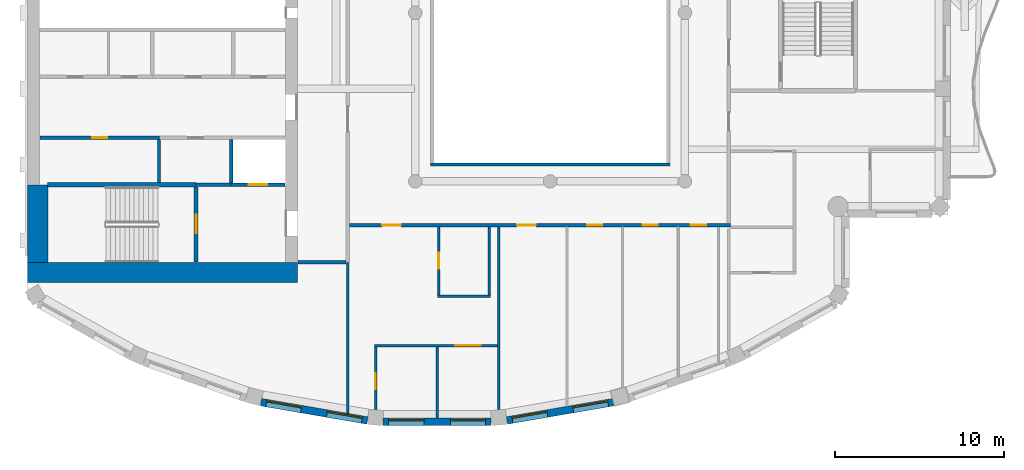
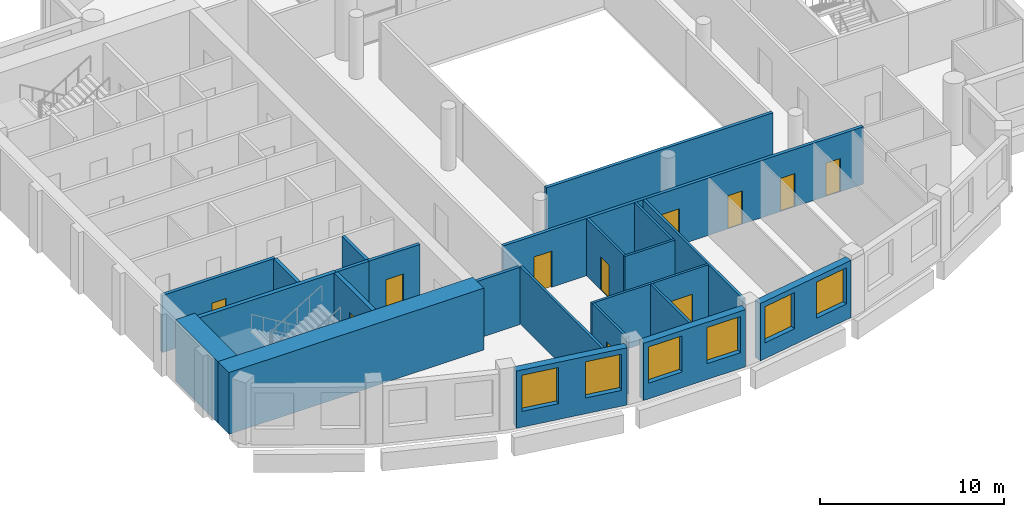
# One storey, part 4 of 14: 23 walls, 11 doors, 6 windows, 17 openings.
"""IFC4 building model written with IfcOpenShell, lengths in metres."""

import ifcopenshell
import ifcopenshell.guid

model = None  # the IFC model being written
_history = None  # IfcOwnerHistory: only IFC2X3 demands one
_inside = {}  # id of a spatial element -> (the spatial element, [elements in it])
_under = {}  # id of a project, library or spatial element -> (it, [spatial elements below it])
_declared = {}  # id of a project -> (the project, [libraries it declares])
_typed = {}  # id of a type object -> (the type object, [elements of that type])
_made_of = {}  # id of a material, layer set ... -> (it, [elements and type objects made of it])


def new_model(schema):
    """Start an empty IFC model of exactly this schema.

    Asked for "IFC4X3", IfcOpenShell would pick the latest addendum, in which some entities
    have other attributes; the version numbers below select the first issue.
    IFC2X3 requires an IfcOwnerHistory on every rooted entity: one is made here for all.
    """
    global model, _history
    if schema == "IFC4X3":
        model = ifcopenshell.file(schema_version=(4, 3, 0, 0))
    else:
        model = ifcopenshell.file(schema=schema)
    _inside.clear()
    _under.clear()
    _declared.clear()
    _typed.clear()
    _made_of.clear()
    _history = None
    if model.schema == "IFC2X3":
        org = make("IfcOrganization", Name="unknown")
        user = make(
            "IfcPersonAndOrganization",
            ThePerson=make("IfcPerson", FamilyName="unknown"),
            TheOrganization=org,
        )
        app = make(
            "IfcApplication",
            ApplicationDeveloper=org,
            Version="unknown",
            ApplicationFullName="unknown",
            ApplicationIdentifier="unknown",
        )
        _history = make(
            "IfcOwnerHistory",
            OwningUser=user,
            OwningApplication=app,
            ChangeAction="ADDED",
            CreationDate=0,
        )
    return model


def make(cls, **values):
    """One entity of the class cls with the attributes given. An attribute that is None is left unset."""
    return model.create_entity(
        cls, **{name: value for name, value in values.items() if value is not None}
    )


def rooted(cls, **values):
    """An entity with a GlobalId (a new one), such as an element, a storey or a relation."""
    return make(cls, GlobalId=ifcopenshell.guid.new(), OwnerHistory=_history, **values)


def si_unit(unit_type, name, prefix=None):
    """IfcSIUnit, for example si_unit("LENGTHUNIT", "METRE", prefix="MILLI")."""
    return make("IfcSIUnit", UnitType=unit_type, Prefix=prefix, Name=name)


def assignment(units):
    """IfcUnitAssignment: the units of a project."""
    return None if units is None else make("IfcUnitAssignment", Units=units)


def point(xyz):
    """IfcCartesianPoint."""
    return None if xyz is None else make("IfcCartesianPoint", Coordinates=xyz)


def direction(xyz):
    """IfcDirection."""
    return None if xyz is None else make("IfcDirection", DirectionRatios=xyz)


def frame(location, z_axis=None, x_axis=None):
    """IfcAxis2Placement3D, a coordinate frame: its origin and axes. An axis left out is left unset."""
    return make(
        "IfcAxis2Placement3D",
        Location=point(location),
        Axis=direction(z_axis),
        RefDirection=direction(x_axis),
    )


def frame_2d(location, x_axis=None):
    """IfcAxis2Placement2D, a coordinate frame in the plane: its origin and x axis."""
    return make(
        "IfcAxis2Placement2D", Location=point(location), RefDirection=direction(x_axis)
    )


def origin():
    """The frame at (0, 0, 0) with its axes left unset."""
    return frame((0.0, 0.0, 0.0))


def place(relative_to, where):
    """IfcLocalPlacement: puts the frame where relative to a parent placement (None: the world)."""
    return make(
        "IfcLocalPlacement", PlacementRelTo=relative_to, RelativePlacement=where
    )


def context(
    kind, dimensions, precision=None, world=None, true_north=None, identifier=None
):
    """IfcGeometricRepresentationContext, for example the 3D "Model" context."""
    return make(
        "IfcGeometricRepresentationContext",
        ContextIdentifier=identifier,
        ContextType=kind,
        CoordinateSpaceDimension=dimensions,
        Precision=precision,
        WorldCoordinateSystem=world,
        TrueNorth=true_north,
    )


def subcontext(parent, identifier, kind, view, scale=None):
    """IfcGeometricRepresentationSubContext, for example "Body" below "Model"."""
    return make(
        "IfcGeometricRepresentationSubContext",
        ContextIdentifier=identifier,
        ContextType=kind,
        ParentContext=parent,
        TargetScale=scale,
        TargetView=view,
    )


def project(units=None, contexts=None):
    """IfcProject with its units and contexts."""
    return rooted(
        "IfcProject",
        Name="project",
        RepresentationContexts=contexts,
        UnitsInContext=assignment(units),
    )


def spatial(cls, under=None, at=None, **own):
    """A site, building, storey or space (cls), placed at a placement, below another one or the project."""
    s = rooted(cls, ObjectPlacement=at, **own)
    if under is not None:
        _under.setdefault(under.id(), (under, []))[1].append(s)
    return s


def profile(cls, at=None, kind="AREA", **sizes):
    """A parametric profile (cls). Its sizes go by their IFC names, for example OverallWidth=200.0."""
    return make(cls, ProfileType=kind, Position=at, **sizes)


def rectangle(**sizes):
    """IfcRectangleProfileDef."""
    return profile("IfcRectangleProfileDef", **sizes)


def extrude(swept, where, along, depth):
    """IfcExtrudedAreaSolid: the profile swept, set in the frame where, extruded along a direction by depth."""
    return make(
        "IfcExtrudedAreaSolid",
        SweptArea=swept,
        Position=where,
        ExtrudedDirection=direction(along),
        Depth=depth,
    )


def shape(context_of_items, identifier, shape_type, items):
    """IfcShapeRepresentation: the items that make up one representation, for example the "Body"."""
    return make(
        "IfcShapeRepresentation",
        ContextOfItems=context_of_items,
        RepresentationIdentifier=identifier,
        RepresentationType=shape_type,
        Items=items,
    )


def material(Name=None, Category=None):
    """IfcMaterial."""
    return make("IfcMaterial", Name=Name, Category=Category)


def layer(
    of_material, thickness, ventilated=None, Name=None, Category=None, Priority=None
):
    """IfcMaterialLayer: one layer of a wall or slab, of a material (None: an air gap)."""
    return make(
        "IfcMaterialLayer",
        Material=of_material,
        LayerThickness=thickness,
        IsVentilated=ventilated,
        Name=Name,
        Category=Category,
        Priority=Priority,
    )


def layer_set(layers, Name=None):
    """IfcMaterialLayerSet."""
    return make("IfcMaterialLayerSet", MaterialLayers=layers, LayerSetName=Name)


def made_of(thing, what):
    """Note that an element or type object is made of a material, layer set ...; save() writes the relation."""
    if what is not None:
        _made_of.setdefault(what.id(), (what, []))[1].append(thing)
    return thing


def type_object(cls, material=None, **own):
    """A type object (cls), such as IfcWallType, which elements share."""
    return made_of(rooted(cls, **own), material)


def element(
    cls,
    number,
    at=None,
    inside=None,
    cuts=None,
    type_object=None,
    material=None,
    context=None,
    identifier="Body",
    shape_type=None,
    held_by="IfcProductDefinitionShape",
    body=None,
    shapes=None,
    **own,
):
    """One element of the class cls, such as IfcWall. Its Tag is "e" and its number.

    at: its placement. inside: the storey or other place that contains it. cuts: it is an
    opening in that element (IfcRelVoidsElement). A single representation is given by context,
    identifier, shape_type and body (its items); several are given by shapes. held_by: the class
    of the entity that holds the representations. save() writes the other relations.
    """
    e = rooted(cls, Tag="e%d" % number, ObjectPlacement=at, **own)
    if body is not None:
        shapes = [shape(context, identifier, shape_type, body)]
    if shapes is not None:
        e.Representation = make(held_by, Representations=shapes)
    if inside is not None:
        _inside.setdefault(inside.id(), (inside, []))[1].append(e)
    if cuts is not None:
        rooted(
            "IfcRelVoidsElement", RelatingBuildingElement=cuts, RelatedOpeningElement=e
        )
    if type_object is not None:
        _typed.setdefault(type_object.id(), (type_object, []))[1].append(e)
    return made_of(e, material)


def fill(opening, filler):
    """IfcRelFillsElement: the door or window that sits in an opening."""
    return rooted(
        "IfcRelFillsElement",
        RelatingOpeningElement=opening,
        RelatedBuildingElement=filler,
    )


def aggregate(whole, parts):
    """IfcRelAggregates: a whole, such as a stair, and the parts it consists of."""
    return rooted("IfcRelAggregates", RelatingObject=whole, RelatedObjects=parts)


def save(model, path):
    """Write the relations noted so far, then the file.

    IfcRelAggregates (storeys below a building ...), IfcRelContainedInSpatialStructure (elements
    in a storey), IfcRelDefinesByType, IfcRelAssociatesMaterial and IfcRelDeclares: one each for
    every whole, place, type object, material and project.
    """
    for whole, parts in _under.values():
        aggregate(whole, parts)
    for where, things in _inside.values():
        rooted(
            "IfcRelContainedInSpatialStructure",
            RelatedElements=things,
            RelatingStructure=where,
        )
    for kind, things in _typed.values():
        rooted("IfcRelDefinesByType", RelatedObjects=things, RelatingType=kind)
    for what, things in _made_of.values():
        rooted("IfcRelAssociatesMaterial", RelatedObjects=things, RelatingMaterial=what)
    for by, libraries in _declared.values():
        rooted("IfcRelDeclares", RelatingContext=by, RelatedDefinitions=libraries)
    model.write(path)


model = new_model("IFC4")

# Units and contexts
model_context = context("Model", 3, precision=1e-05, world=origin(), true_north=direction((0.0, 1.0)))
body_context = subcontext(model_context, "Body", "Model", "MODEL_VIEW")
ifc_project = project(units=[si_unit("LENGTHUNIT", "METRE"), si_unit("AREAUNIT", "SQUARE_METRE"), si_unit("VOLUMEUNIT", "CUBIC_METRE"), si_unit("PLANEANGLEUNIT", "RADIAN"), si_unit("MASSUNIT", "GRAM", prefix="KILO")], contexts=[model_context])

# Site, building, storey
site_placement = place(None, origin())
site = spatial("IfcSite", under=ifc_project, at=site_placement, CompositionType="ELEMENT")
building_placement = place(site_placement, origin())
building = spatial("IfcBuilding", under=site, at=building_placement, Name="Cypress Arch Tower", CompositionType="ELEMENT")
storey_placement = place(building_placement, frame((0.0, 0.0, 325.39990234375)))
storey = spatial("IfcBuildingStorey", under=building, at=storey_placement, Name="L74", CompositionType="ELEMENT", Elevation=325.39990234375)

# Wall, openings, windows
ifc_material_1 = material(Name="Brick (red buff blend)", Category="masonry")
ifc_layer_1 = layer(ifc_material_1, 0.449951171875)
ifc_layer_set_1 = layer_set([ifc_layer_1], Name="Brick pier and spandrel wall BW450")
wall_type_1 = type_object("IfcWallType", Name="Brick pier and spandrel wall BW450", PredefinedType="SOLIDWALL", material=ifc_layer_set_1)
wall_1_placement = place(storey_placement, frame((-16.15673828125, -23.09716796875, 0.0), z_axis=(0.0, 0.0, 1.0), x_axis=(0.985502073964, -0.169663379113, 0.0)))
wall_1 = element("IfcWall", 1, at=wall_1_placement, inside=storey, type_object=wall_type_1, Name="Brick wall L74 C10.0", PredefinedType="SOLIDWALL", context=body_context, shape_type="SweptSolid", body=[
    extrude(rectangle(XDim=6.412109375, YDim=0.449951171875, at=frame_2d((3.2060546875, 0.0))), origin(), (0.0, 0.0, 1.0), 3.800048828125),
])
opening_1_placement = place(wall_1_placement, frame((0.3271484375, 0.0, 1.050048828125)))
opening_1 = element("IfcOpeningElement", 2, at=opening_1_placement, cuts=wall_1, Name="Opening W210O", PredefinedType="OPENING", context=body_context, shape_type="SweptSolid", body=[
    extrude(rectangle(XDim=2.10009765625, YDim=2.39990234375, at=frame_2d((1.050048828125, 1.199951171875))), frame((0.0, 0.23486328125, 0.0), z_axis=(0.0, -1.0, 0.0), x_axis=(1.0, 0.0, 0.0)), (0.0, 0.0, 1.0), 0.469970703125),
])
opening_2_placement = place(wall_1_placement, frame((3.98486328125, 0.0, 1.050048828125)))
opening_2 = element("IfcOpeningElement", 3, at=opening_2_placement, cuts=wall_1, Name="Opening W210O", PredefinedType="OPENING", context=body_context, shape_type="SweptSolid", body=[
    extrude(rectangle(XDim=2.10009765625, YDim=2.39990234375, at=frame_2d((1.050048828125, 1.199951171875))), frame((0.0, 0.23486328125, 0.0), z_axis=(0.0, -1.0, 0.0), x_axis=(1.0, 0.0, 0.0)), (0.0, 0.0, 1.0), 0.469970703125),
])
ifc_material_2 = material(Name="Anodised aluminium, bronze finish, clear low-emissivity double glazing", Category="aluminium")
window_type = type_object("IfcWindowType", Name="Window Office 2100x2400", PartitioningType="SINGLE_PANEL", PredefinedType="WINDOW", material=ifc_material_2)
window_1_placement = place(opening_1_placement, origin())
window_1 = element("IfcWindow", 4, at=window_1_placement, inside=storey, type_object=window_type, Name="Window L74 C10.0.1", OverallHeight=2.39990234375, OverallWidth=2.10009765625, PartitioningType="SINGLE_PANEL", PredefinedType="WINDOW", context=body_context, shape_type="SweptSolid", body=[
    extrude(rectangle(XDim=2.10009765625, YDim=2.39990234375, at=frame_2d((1.050048828125, 1.199951171875))), frame((0.0, 0.135009765625, 0.0), z_axis=(0.0, -1.0, 0.0), x_axis=(1.0, 0.0, 0.0)), (0.0, 0.0, 1.0), 0.06005859375),
])
fill(opening_1, window_1)
window_2_placement = place(opening_2_placement, origin())
window_2 = element("IfcWindow", 5, at=window_2_placement, inside=storey, type_object=window_type, Name="Window L74 C10.0.2", OverallHeight=2.39990234375, OverallWidth=2.10009765625, PartitioningType="SINGLE_PANEL", PredefinedType="WINDOW", context=body_context, shape_type="SweptSolid", body=[
    extrude(rectangle(XDim=2.10009765625, YDim=2.39990234375, at=frame_2d((1.050048828125, 1.199951171875))), frame((0.0, 0.135009765625, 0.0), z_axis=(0.0, -1.0, 0.0), x_axis=(1.0, 0.0, 0.0)), (0.0, 0.0, 1.0), 0.06005859375),
])
fill(opening_2, window_2)

wall_2_placement = place(storey_placement, frame((-8.90283203125, -24.264892578125, 0.0), z_axis=(0.0, 0.0, 1.0), x_axis=(1.0, 0.0, 0.0)))
wall_2 = element("IfcWall", 6, at=wall_2_placement, inside=storey, type_object=wall_type_1, Name="Brick wall L74 C11.0", PredefinedType="SOLIDWALL", context=body_context, shape_type="SweptSolid", body=[
    extrude(rectangle(XDim=6.405517578125, YDim=0.449951171875, at=frame_2d((3.20263671875, 0.0))), origin(), (0.0, 0.0, 1.0), 3.800048828125),
])
opening_3_placement = place(wall_2_placement, frame((0.325439453125, 0.0, 1.050048828125)))
opening_3 = element("IfcOpeningElement", 7, at=opening_3_placement, cuts=wall_2, Name="Opening W210O", PredefinedType="OPENING", context=body_context, shape_type="SweptSolid", body=[
    extrude(rectangle(XDim=2.10009765625, YDim=2.39990234375, at=frame_2d((1.050048828125, 1.199951171875))), frame((0.0, 0.23486328125, 0.0), z_axis=(0.0, -1.0, 0.0), x_axis=(1.0, 0.0, 0.0)), (0.0, 0.0, 1.0), 0.469970703125),
])
opening_4_placement = place(wall_2_placement, frame((3.97998046875, 0.0, 1.050048828125)))
opening_4 = element("IfcOpeningElement", 8, at=opening_4_placement, cuts=wall_2, Name="Opening W210O", PredefinedType="OPENING", context=body_context, shape_type="SweptSolid", body=[
    extrude(rectangle(XDim=2.10009765625, YDim=2.39990234375, at=frame_2d((1.050048828125, 1.199951171875))), frame((0.0, 0.23486328125, 0.0), z_axis=(0.0, -1.0, 0.0), x_axis=(1.0, 0.0, 0.0)), (0.0, 0.0, 1.0), 0.469970703125),
])
window_3_placement = place(opening_3_placement, origin())
window_3 = element("IfcWindow", 9, at=window_3_placement, inside=storey, type_object=window_type, Name="Window L74 C11.0.1", OverallHeight=2.39990234375, OverallWidth=2.10009765625, PartitioningType="SINGLE_PANEL", PredefinedType="WINDOW", context=body_context, shape_type="SweptSolid", body=[
    extrude(rectangle(XDim=2.10009765625, YDim=2.39990234375, at=frame_2d((1.050048828125, 1.199951171875))), frame((0.0, 0.135009765625, 0.0), z_axis=(0.0, -1.0, 0.0), x_axis=(1.0, 0.0, 0.0)), (0.0, 0.0, 1.0), 0.06005859375),
])
fill(opening_3, window_3)
window_4_placement = place(opening_4_placement, origin())
window_4 = element("IfcWindow", 10, at=window_4_placement, inside=storey, type_object=window_type, Name="Window L74 C11.0.2", OverallHeight=2.39990234375, OverallWidth=2.10009765625, PartitioningType="SINGLE_PANEL", PredefinedType="WINDOW", context=body_context, shape_type="SweptSolid", body=[
    extrude(rectangle(XDim=2.10009765625, YDim=2.39990234375, at=frame_2d((1.050048828125, 1.199951171875))), frame((0.0, 0.135009765625, 0.0), z_axis=(0.0, -1.0, 0.0), x_axis=(1.0, 0.0, 0.0)), (0.0, 0.0, 1.0), 0.06005859375),
])
fill(opening_4, window_4)

wall_3_placement = place(storey_placement, frame((-1.562255859375, -24.18505859375, 0.0), z_axis=(0.0, 0.0, 1.0), x_axis=(0.985502073964, 0.169663379113, 0.0)))
wall_3 = element("IfcWall", 11, at=wall_3_placement, inside=storey, type_object=wall_type_1, Name="Brick wall L74 C12.0", PredefinedType="SOLIDWALL", context=body_context, shape_type="SweptSolid", body=[
    extrude(rectangle(XDim=6.412109375, YDim=0.449951171875, at=frame_2d((3.2060546875, 0.0))), origin(), (0.0, 0.0, 1.0), 3.800048828125),
])
opening_5_placement = place(wall_3_placement, frame((0.3271484375, 0.0, 1.050048828125)))
opening_5 = element("IfcOpeningElement", 12, at=opening_5_placement, cuts=wall_3, Name="Opening W210O", PredefinedType="OPENING", context=body_context, shape_type="SweptSolid", body=[
    extrude(rectangle(XDim=2.10009765625, YDim=2.39990234375, at=frame_2d((1.050048828125, 1.199951171875))), frame((0.0, 0.23486328125, 0.0), z_axis=(0.0, -1.0, 0.0), x_axis=(1.0, 0.0, 0.0)), (0.0, 0.0, 1.0), 0.469970703125),
])
opening_6_placement = place(wall_3_placement, frame((3.98486328125, 0.0, 1.050048828125)))
opening_6 = element("IfcOpeningElement", 13, at=opening_6_placement, cuts=wall_3, Name="Opening W210O", PredefinedType="OPENING", context=body_context, shape_type="SweptSolid", body=[
    extrude(rectangle(XDim=2.10009765625, YDim=2.39990234375, at=frame_2d((1.050048828125, 1.199951171875))), frame((0.0, 0.23486328125, 0.0), z_axis=(0.0, -1.0, 0.0), x_axis=(1.0, 0.0, 0.0)), (0.0, 0.0, 1.0), 0.469970703125),
])
window_5_placement = place(opening_5_placement, origin())
window_5 = element("IfcWindow", 14, at=window_5_placement, inside=storey, type_object=window_type, Name="Window L74 C12.0.1", OverallHeight=2.39990234375, OverallWidth=2.10009765625, PartitioningType="SINGLE_PANEL", PredefinedType="WINDOW", context=body_context, shape_type="SweptSolid", body=[
    extrude(rectangle(XDim=2.10009765625, YDim=2.39990234375, at=frame_2d((1.050048828125, 1.199951171875))), frame((0.0, 0.135009765625, 0.0), z_axis=(0.0, -1.0, 0.0), x_axis=(1.0, 0.0, 0.0)), (0.0, 0.0, 1.0), 0.06005859375),
])
fill(opening_5, window_5)
window_6_placement = place(opening_6_placement, origin())
window_6 = element("IfcWindow", 15, at=window_6_placement, inside=storey, type_object=window_type, Name="Window L74 C12.0.2", OverallHeight=2.39990234375, OverallWidth=2.10009765625, PartitioningType="SINGLE_PANEL", PredefinedType="WINDOW", context=body_context, shape_type="SweptSolid", body=[
    extrude(rectangle(XDim=2.10009765625, YDim=2.39990234375, at=frame_2d((1.050048828125, 1.199951171875))), frame((0.0, 0.135009765625, 0.0), z_axis=(0.0, -1.0, 0.0), x_axis=(1.0, 0.0, 0.0)), (0.0, 0.0, 1.0), 0.06005859375),
])
fill(opening_6, window_6)

# Walls
ifc_material_3 = material(Name="Concrete C60/75", Category="concrete")
ifc_layer_2 = layer(ifc_material_3, 1.199951171875)
ifc_layer_set_2 = layer_set([ifc_layer_2], Name="Core wall CW1200 C60/75")
wall_type_2 = type_object("IfcWallType", Name="Core wall CW1200 C60/75", PredefinedType="SHEAR", material=ifc_layer_set_2)
wall_4_placement = place(storey_placement, frame((-30.0, -15.39990234375, 0.0), z_axis=(0.0, 0.0, 1.0), x_axis=(1.0, 0.0, 0.0)))
element("IfcWall", 16, at=wall_4_placement, inside=storey, type_object=wall_type_2, Name="Core wall", PredefinedType="SHEAR", context=body_context, shape_type="SweptSolid", body=[
    extrude(rectangle(XDim=16.0, YDim=1.199951171875, at=frame_2d((8.0, 0.0))), origin(), (0.0, 0.0, 1.0), 4.10009765625),
])
wall_5_placement = place(storey_placement, frame((-29.39990234375, -14.800048828125, 0.0), z_axis=(0.0, 0.0, 1.0), x_axis=(0.0, 1.0, 0.0)))
element("IfcWall", 17, at=wall_5_placement, inside=storey, type_object=wall_type_2, Name="Core wall", PredefinedType="SHEAR", context=body_context, shape_type="SweptSolid", body=[
    extrude(rectangle(XDim=4.60009765625, YDim=1.199951171875, at=frame_2d((2.300048828125, 0.0))), origin(), (0.0, 0.0, 1.0), 4.10009765625),
])

# Wall, opening, door
ifc_material_4 = material(Name="Concrete blockwork, plastered, rated", Category="masonry")
ifc_layer_3 = layer(ifc_material_4, 0.199951171875)
ifc_layer_set_3 = layer_set([ifc_layer_3], Name="Corridor wall FW200")
wall_type_3 = type_object("IfcWallType", Name="Corridor wall FW200", PredefinedType="PARTITIONING", material=ifc_layer_set_3)
wall_6_placement = place(storey_placement, frame((-29.27001953125, -7.39990234375, 0.0), z_axis=(0.0, 0.0, 1.0), x_axis=(1.0, 0.0, 0.0)))
wall_6 = element("IfcWall", 18, at=wall_6_placement, inside=storey, type_object=wall_type_3, Name="Corridor wall", PredefinedType="PARTITIONING", context=body_context, shape_type="SweptSolid", body=[
    extrude(rectangle(XDim=7.090087890625, YDim=0.199951171875, at=frame_2d((3.544921875, 0.0))), origin(), (0.0, 0.0, 1.0), 3.800048828125),
])
opening_7_placement = place(wall_6_placement, frame((3.10009765625, 0.0, 0.0)))
opening_7 = element("IfcOpeningElement", 19, at=opening_7_placement, cuts=wall_6, Name="Opening D05", PredefinedType="OPENING", context=body_context, shape_type="SweptSolid", body=[
    extrude(rectangle(XDim=0.89990234375, YDim=2.199951171875, at=frame_2d((0.449951171875, 1.10009765625))), frame((0.0, 0.10986328125, 0.0), z_axis=(0.0, -1.0, 0.0), x_axis=(1.0, 0.0, 0.0)), (0.0, 0.0, 1.0), 0.219970703125),
])
ifc_material_5 = material(Name="Timber flush door", Category="wood")
door_type_1 = type_object("IfcDoorType", Name="Service door D05 900x2200", OperationType="SINGLE_SWING_LEFT", PredefinedType="DOOR", material=ifc_material_5)
door_1_placement = place(opening_7_placement, origin())
door_1 = element("IfcDoor", 20, at=door_1_placement, inside=storey, type_object=door_type_1, Name="Service door", OperationType="SINGLE_SWING_LEFT", OverallHeight=2.199951171875, OverallWidth=0.89990234375, PredefinedType="DOOR", context=body_context, shape_type="SweptSolid", body=[
    extrude(rectangle(XDim=0.89990234375, YDim=2.199951171875, at=frame_2d((0.449951171875, 1.10009765625))), frame((0.0, 0.02490234375, 0.0), z_axis=(0.0, -1.0, 0.0), x_axis=(1.0, 0.0, 0.0)), (0.0, 0.0, 1.0), 0.050048828125),
])
fill(opening_7, door_1)

# Wall
wall_7_placement = place(storey_placement, frame((-13.969970703125, -14.800048828125, 0.0), z_axis=(0.0, 0.0, 1.0), x_axis=(1.0, 0.0, 0.0)))
element("IfcWall", 21, at=wall_7_placement, inside=storey, type_object=wall_type_3, Name="Corridor wall", PredefinedType="PARTITIONING", context=body_context, shape_type="SweptSolid", body=[
    extrude(rectangle(XDim=2.869873046875, YDim=0.199951171875, at=frame_2d((1.43505859375, 0.0))), origin(), (0.0, 0.0, 1.0), 3.800048828125),
])

# Wall, openings, doors
wall_8_placement = place(storey_placement, frame((-10.89990234375, -12.60009765625, 0.0), z_axis=(0.0, 0.0, 1.0), x_axis=(1.0, 0.0, 0.0)))
wall_8 = element("IfcWall", 22, at=wall_8_placement, inside=storey, type_object=wall_type_3, Name="Corridor wall", PredefinedType="PARTITIONING", context=body_context, shape_type="SweptSolid", body=[
    extrude(rectangle(XDim=22.599853515625, YDim=0.199951171875, at=frame_2d((11.2998046875, 0.0))), origin(), (0.0, 0.0, 1.0), 3.800048828125),
])
opening_8_placement = place(wall_8_placement, frame((14.10009765625, 0.0, 0.0)))
opening_8 = element("IfcOpeningElement", 23, at=opening_8_placement, cuts=wall_8, Name="Opening D03", PredefinedType="OPENING", context=body_context, shape_type="SweptSolid", body=[
    extrude(rectangle(XDim=0.89990234375, YDim=2.199951171875, at=frame_2d((0.449951171875, 1.10009765625))), frame((0.0, 0.10986328125, 0.0), z_axis=(0.0, -1.0, 0.0), x_axis=(1.0, 0.0, 0.0)), (0.0, 0.0, 1.0), 0.219970703125),
])
opening_9_placement = place(wall_8_placement, frame((17.39990234375, 0.0, 0.0)))
opening_9 = element("IfcOpeningElement", 24, at=opening_9_placement, cuts=wall_8, Name="Opening D03", PredefinedType="OPENING", context=body_context, shape_type="SweptSolid", body=[
    extrude(rectangle(XDim=0.89990234375, YDim=2.199951171875, at=frame_2d((0.449951171875, 1.10009765625))), frame((0.0, 0.10986328125, 0.0), z_axis=(0.0, -1.0, 0.0), x_axis=(1.0, 0.0, 0.0)), (0.0, 0.0, 1.0), 0.219970703125),
])
opening_10_placement = place(wall_8_placement, frame((20.25, 0.0, 0.0)))
opening_10 = element("IfcOpeningElement", 25, at=opening_10_placement, cuts=wall_8, Name="Opening D03", PredefinedType="OPENING", context=body_context, shape_type="SweptSolid", body=[
    extrude(rectangle(XDim=0.89990234375, YDim=2.199951171875, at=frame_2d((0.449951171875, 1.10009765625))), frame((0.0, 0.10986328125, 0.0), z_axis=(0.0, -1.0, 0.0), x_axis=(1.0, 0.0, 0.0)), (0.0, 0.0, 1.0), 0.219970703125),
])
opening_11_placement = place(wall_8_placement, frame((1.949951171875, 0.0, 0.0)))
opening_11 = element("IfcOpeningElement", 26, at=opening_11_placement, cuts=wall_8, Name="Opening D01", PredefinedType="OPENING", context=body_context, shape_type="SweptSolid", body=[
    extrude(rectangle(XDim=1.10009765625, YDim=2.39990234375, at=frame_2d((0.550048828125, 1.199951171875))), frame((0.0, 0.10986328125, 0.0), z_axis=(0.0, -1.0, 0.0), x_axis=(1.0, 0.0, 0.0)), (0.0, 0.0, 1.0), 0.219970703125),
])
opening_12_placement = place(wall_8_placement, frame((9.949951171875, 0.0, 0.0)))
opening_12 = element("IfcOpeningElement", 27, at=opening_12_placement, cuts=wall_8, Name="Opening D01", PredefinedType="OPENING", context=body_context, shape_type="SweptSolid", body=[
    extrude(rectangle(XDim=1.10009765625, YDim=2.39990234375, at=frame_2d((0.550048828125, 1.199951171875))), frame((0.0, 0.10986328125, 0.0), z_axis=(0.0, -1.0, 0.0), x_axis=(1.0, 0.0, 0.0)), (0.0, 0.0, 1.0), 0.219970703125),
])
ifc_material_6 = material(Name="Timber flush door, moisture resistant", Category="wood")
door_type_2 = type_object("IfcDoorType", Name="Bathroom door D03 900x2200", OperationType="SINGLE_SWING_LEFT", PredefinedType="DOOR", material=ifc_material_6)
door_2_placement = place(opening_8_placement, origin())
door_2 = element("IfcDoor", 28, at=door_2_placement, inside=storey, type_object=door_type_2, Name="Bathroom door", OperationType="SINGLE_SWING_LEFT", OverallHeight=2.199951171875, OverallWidth=0.89990234375, PredefinedType="DOOR", context=body_context, shape_type="SweptSolid", body=[
    extrude(rectangle(XDim=0.89990234375, YDim=2.199951171875, at=frame_2d((0.449951171875, 1.10009765625))), frame((0.0, 0.02490234375, 0.0), z_axis=(0.0, -1.0, 0.0), x_axis=(1.0, 0.0, 0.0)), (0.0, 0.0, 1.0), 0.050048828125),
])
fill(opening_8, door_2)
door_3_placement = place(opening_9_placement, origin())
door_3 = element("IfcDoor", 29, at=door_3_placement, inside=storey, type_object=door_type_2, Name="Bathroom door", OperationType="SINGLE_SWING_LEFT", OverallHeight=2.199951171875, OverallWidth=0.89990234375, PredefinedType="DOOR", context=body_context, shape_type="SweptSolid", body=[
    extrude(rectangle(XDim=0.89990234375, YDim=2.199951171875, at=frame_2d((0.449951171875, 1.10009765625))), frame((0.0, 0.02490234375, 0.0), z_axis=(0.0, -1.0, 0.0), x_axis=(1.0, 0.0, 0.0)), (0.0, 0.0, 1.0), 0.050048828125),
])
fill(opening_9, door_3)
door_4_placement = place(opening_10_placement, origin())
door_4 = element("IfcDoor", 30, at=door_4_placement, inside=storey, type_object=door_type_2, Name="Bathroom door", OperationType="SINGLE_SWING_LEFT", OverallHeight=2.199951171875, OverallWidth=0.89990234375, PredefinedType="DOOR", context=body_context, shape_type="SweptSolid", body=[
    extrude(rectangle(XDim=0.89990234375, YDim=2.199951171875, at=frame_2d((0.449951171875, 1.10009765625))), frame((0.0, 0.02490234375, 0.0), z_axis=(0.0, -1.0, 0.0), x_axis=(1.0, 0.0, 0.0)), (0.0, 0.0, 1.0), 0.050048828125),
])
fill(opening_10, door_4)
ifc_material_7 = material(Name="Timber flush door, fire resisting, self-closing", Category="wood")
door_type_3 = type_object("IfcDoorType", Name="Unit entrance door D01 1100x2400", OperationType="SINGLE_SWING_LEFT", PredefinedType="DOOR", material=ifc_material_7)
door_5_placement = place(opening_11_placement, origin())
door_5 = element("IfcDoor", 31, at=door_5_placement, inside=storey, type_object=door_type_3, Name="Unit entrance door", OperationType="SINGLE_SWING_RIGHT", OverallHeight=2.39990234375, OverallWidth=1.10009765625, PredefinedType="DOOR", context=body_context, shape_type="SweptSolid", body=[
    extrude(rectangle(XDim=1.10009765625, YDim=2.39990234375, at=frame_2d((0.550048828125, 1.199951171875))), frame((0.0, 0.02490234375, 0.0), z_axis=(0.0, -1.0, 0.0), x_axis=(1.0, 0.0, 0.0)), (0.0, 0.0, 1.0), 0.050048828125),
])
fill(opening_11, door_5)
door_6_placement = place(opening_12_placement, origin())
door_6 = element("IfcDoor", 32, at=door_6_placement, inside=storey, type_object=door_type_3, Name="Unit entrance door", OperationType="SINGLE_SWING_RIGHT", OverallHeight=2.39990234375, OverallWidth=1.10009765625, PredefinedType="DOOR", context=body_context, shape_type="SweptSolid", body=[
    extrude(rectangle(XDim=1.10009765625, YDim=2.39990234375, at=frame_2d((0.550048828125, 1.199951171875))), frame((0.0, 0.02490234375, 0.0), z_axis=(0.0, -1.0, 0.0), x_axis=(1.0, 0.0, 0.0)), (0.0, 0.0, 1.0), 0.050048828125),
])
fill(opening_12, door_6)

# Walls
wall_9_placement = place(storey_placement, frame((-6.10009765625, -9.0, 0.0), z_axis=(0.0, 0.0, 1.0), x_axis=(1.0, 0.0, 0.0)))
element("IfcWall", 33, at=wall_9_placement, inside=storey, type_object=wall_type_3, Name="Corridor wall", PredefinedType="PARTITIONING", context=body_context, shape_type="SweptSolid", body=[
    extrude(rectangle(XDim=14.2001953125, YDim=0.199951171875, at=frame_2d((7.10009765625, 0.0))), origin(), (0.0, 0.0, 1.0), 3.800048828125),
])
ifc_material_8 = material(Name="Blockwork, plastered both sides", Category="masonry")
ifc_layer_4 = layer(ifc_material_8, 0.14990234375)
ifc_layer_set_4 = layer_set([ifc_layer_4], Name="Partition PW150")
wall_type_4 = type_object("IfcWallType", Name="Partition PW150", PredefinedType="PARTITIONING", material=ifc_layer_set_4)
wall_10_placement = place(storey_placement, frame((-11.0, -23.756591796875, 0.0), z_axis=(0.0, 0.0, 1.0), x_axis=(0.0, 1.0, 0.0)))
element("IfcWall", 34, at=wall_10_placement, inside=storey, type_object=wall_type_4, Name="Partition", PredefinedType="PARTITIONING", context=body_context, shape_type="SweptSolid", body=[
    extrude(rectangle(XDim=8.9365234375, YDim=0.14990234375, at=frame_2d((4.46826171875, 0.0))), origin(), (0.0, 0.0, 1.0), 3.800048828125),
])

# Wall, opening, door
wall_11_placement = place(storey_placement, frame((-9.35400390625, -23.54150390625, 0.0), z_axis=(0.0, 0.0, 1.0), x_axis=(0.0, 1.0, 0.0)))
wall_11 = element("IfcWall", 35, at=wall_11_placement, inside=storey, type_object=wall_type_4, Name="Partition", PredefinedType="PARTITIONING", context=body_context, shape_type="SweptSolid", body=[
    extrude(rectangle(XDim=3.7265625, YDim=0.14990234375, at=frame_2d((1.86328125, 0.0))), origin(), (0.0, 0.0, 1.0), 3.800048828125),
])
opening_13_placement = place(wall_11_placement, frame((1.199951171875, 0.0, 0.0)))
opening_13 = element("IfcOpeningElement", 36, at=opening_13_placement, cuts=wall_11, Name="Opening D12", PredefinedType="OPENING", context=body_context, shape_type="SweptSolid", body=[
    extrude(rectangle(XDim=0.949951171875, YDim=2.199951171875, at=frame_2d((0.47509765625, 1.10009765625))), frame((0.0, 0.0849609375, 0.0), z_axis=(0.0, -1.0, 0.0), x_axis=(1.0, 0.0, 0.0)), (0.0, 0.0, 1.0), 0.169921875),
])
ifc_material_9 = material(Name="Timber flush door", Category="wood")
door_type_4 = type_object("IfcDoorType", Name="Room door D12 950x2200", OperationType="SINGLE_SWING_LEFT", PredefinedType="DOOR", material=ifc_material_9)
door_7_placement = place(opening_13_placement, origin())
door_7 = element("IfcDoor", 37, at=door_7_placement, inside=storey, type_object=door_type_4, Name="Room door", OperationType="SINGLE_SWING_LEFT", OverallHeight=2.199951171875, OverallWidth=0.949951171875, PredefinedType="DOOR", context=body_context, shape_type="SweptSolid", body=[
    extrude(rectangle(XDim=0.949951171875, YDim=2.199951171875, at=frame_2d((0.47509765625, 1.10009765625))), frame((0.0, 0.02490234375, 0.0), z_axis=(0.0, -1.0, 0.0), x_axis=(1.0, 0.0, 0.0)), (0.0, 0.0, 1.0), 0.050048828125),
])
fill(opening_13, door_7)

wall_12_placement = place(storey_placement, frame((-9.428955078125, -19.739990234375, 0.0), z_axis=(0.0, 0.0, 1.0), x_axis=(1.0, 0.0, 0.0)))
wall_12 = element("IfcWall", 38, at=wall_12_placement, inside=storey, type_object=wall_type_4, Name="Partition", PredefinedType="PARTITIONING", context=body_context, shape_type="SweptSolid", body=[
    extrude(rectangle(XDim=7.307861328125, YDim=0.14990234375, at=frame_2d((3.65380859375, 0.0))), origin(), (0.0, 0.0, 1.0), 3.800048828125),
])
opening_14_placement = place(wall_12_placement, frame((4.800048828125, 0.0, 0.0)))
opening_14 = element("IfcOpeningElement", 39, at=opening_14_placement, cuts=wall_12, Name="Opening D04", PredefinedType="OPENING", context=body_context, shape_type="SweptSolid", body=[
    extrude(rectangle(XDim=1.5, YDim=2.199951171875, at=frame_2d((0.75, 1.10009765625))), frame((0.0, 0.0849609375, 0.0), z_axis=(0.0, -1.0, 0.0), x_axis=(1.0, 0.0, 0.0)), (0.0, 0.0, 1.0), 0.169921875),
])
ifc_material_10 = material(Name="Timber double door", Category="wood")
door_type_5 = type_object("IfcDoorType", Name="Double door D04 1500x2200", OperationType="DOUBLE_DOOR_SINGLE_SWING", PredefinedType="DOOR", material=ifc_material_10)
door_8_placement = place(opening_14_placement, origin())
door_8 = element("IfcDoor", 40, at=door_8_placement, inside=storey, type_object=door_type_5, Name="Double door", OperationType="DOUBLE_DOOR_SINGLE_SWING", OverallHeight=2.199951171875, OverallWidth=1.5, PredefinedType="DOOR", context=body_context, shape_type="SweptSolid", body=[
    extrude(rectangle(XDim=1.5, YDim=2.199951171875, at=frame_2d((0.75, 1.10009765625))), frame((0.0, 0.02490234375, 0.0), z_axis=(0.0, -1.0, 0.0), x_axis=(1.0, 0.0, 0.0)), (0.0, 0.0, 1.0), 0.050048828125),
])
fill(opening_14, door_8)

# Wall
wall_13_placement = place(storey_placement, frame((-5.699951171875, -24.0400390625, 0.0), z_axis=(0.0, 0.0, 1.0), x_axis=(0.0, 1.0, 0.0)))
element("IfcWall", 41, at=wall_13_placement, inside=storey, type_object=wall_type_4, Name="Partition", PredefinedType="PARTITIONING", context=body_context, shape_type="SweptSolid", body=[
    extrude(rectangle(XDim=4.22509765625, YDim=0.14990234375, at=frame_2d((2.112548828125, 0.0))), origin(), (0.0, 0.0, 1.0), 3.800048828125),
])

# Wall, opening, door
wall_14_placement = place(storey_placement, frame((-5.60009765625, -16.72509765625, 0.0), z_axis=(0.0, 0.0, 1.0), x_axis=(0.0, 1.0, 0.0)))
wall_14 = element("IfcWall", 42, at=wall_14_placement, inside=storey, type_object=wall_type_4, Name="Partition", PredefinedType="PARTITIONING", context=body_context, shape_type="SweptSolid", body=[
    extrude(rectangle(XDim=4.025146484375, YDim=0.14990234375, at=frame_2d((2.0126953125, 0.0))), origin(), (0.0, 0.0, 1.0), 3.800048828125),
])
opening_15_placement = place(wall_14_placement, frame((1.550048828125, 0.0, 0.0)))
opening_15 = element("IfcOpeningElement", 43, at=opening_15_placement, cuts=wall_14, Name="Opening D12", PredefinedType="OPENING", context=body_context, shape_type="SweptSolid", body=[
    extrude(rectangle(XDim=0.949951171875, YDim=2.199951171875, at=frame_2d((0.47509765625, 1.10009765625))), frame((0.0, 0.0849609375, 0.0), z_axis=(0.0, -1.0, 0.0), x_axis=(1.0, 0.0, 0.0)), (0.0, 0.0, 1.0), 0.169921875),
])
door_9_placement = place(opening_15_placement, origin())
door_9 = element("IfcDoor", 44, at=door_9_placement, inside=storey, type_object=door_type_4, Name="Room door", OperationType="SINGLE_SWING_RIGHT", OverallHeight=2.199951171875, OverallWidth=0.949951171875, PredefinedType="DOOR", context=body_context, shape_type="SweptSolid", body=[
    extrude(rectangle(XDim=0.949951171875, YDim=2.199951171875, at=frame_2d((0.47509765625, 1.10009765625))), frame((0.0, 0.02490234375, 0.0), z_axis=(0.0, -1.0, 0.0), x_axis=(1.0, 0.0, 0.0)), (0.0, 0.0, 1.0), 0.050048828125),
])
fill(opening_15, door_9)

# Walls
wall_15_placement = place(storey_placement, frame((-5.675048828125, -16.800048828125, 0.0), z_axis=(0.0, 0.0, 1.0), x_axis=(1.0, 0.0, 0.0)))
element("IfcWall", 45, at=wall_15_placement, inside=storey, type_object=wall_type_4, Name="Partition", PredefinedType="PARTITIONING", context=body_context, shape_type="SweptSolid", body=[
    extrude(rectangle(XDim=3.150146484375, YDim=0.14990234375, at=frame_2d((1.5751953125, 0.0))), origin(), (0.0, 0.0, 1.0), 3.800048828125),
])
wall_16_placement = place(storey_placement, frame((-2.60009765625, -16.72509765625, 0.0), z_axis=(0.0, 0.0, 1.0), x_axis=(0.0, 1.0, 0.0)))
element("IfcWall", 46, at=wall_16_placement, inside=storey, type_object=wall_type_4, Name="Partition", PredefinedType="PARTITIONING", context=body_context, shape_type="SweptSolid", body=[
    extrude(rectangle(XDim=4.025146484375, YDim=0.14990234375, at=frame_2d((2.0126953125, 0.0))), origin(), (0.0, 0.0, 1.0), 3.800048828125),
])
wall_17_placement = place(storey_placement, frame((-2.0458984375, -23.54150390625, 0.0), z_axis=(0.0, 0.0, 1.0), x_axis=(0.0, 1.0, 0.0)))
element("IfcWall", 47, at=wall_17_placement, inside=storey, type_object=wall_type_4, Name="Partition", PredefinedType="PARTITIONING", context=body_context, shape_type="SweptSolid", body=[
    extrude(rectangle(XDim=10.841552734375, YDim=0.14990234375, at=frame_2d((5.4208984375, 0.0))), origin(), (0.0, 0.0, 1.0), 3.800048828125),
])
ifc_material_11 = material(Name="Reinforced blockwork, plastered, rated", Category="masonry")
ifc_layer_5 = layer(ifc_material_11, 0.199951171875)
ifc_layer_set_5 = layer_set([ifc_layer_5], Name="Plant and riser wall PL200")
wall_type_5 = type_object("IfcWallType", Name="Plant and riser wall PL200", PredefinedType="PARTITIONING", material=ifc_layer_set_5)
wall_18_placement = place(storey_placement, frame((-22.199951171875, -10.074951171875, 0.0), z_axis=(0.0, 0.0, 1.0), x_axis=(0.0, 1.0, 0.0)))
element("IfcWall", 48, at=wall_18_placement, inside=storey, type_object=wall_type_5, Name="Plant and riser wall", PredefinedType="PARTITIONING", context=body_context, shape_type="SweptSolid", body=[
    extrude(rectangle(XDim=2.574951171875, YDim=0.199951171875, at=frame_2d((1.28759765625, 0.0))), origin(), (0.0, 0.0, 1.0), 3.800048828125),
])
wall_19_placement = place(storey_placement, frame((-20.0, -10.199951171875, 0.0), z_axis=(0.0, 0.0, 1.0), x_axis=(1.0, 0.0, 0.0)))
element("IfcWall", 49, at=wall_19_placement, inside=storey, type_object=wall_type_5, Name="Plant and riser wall", PredefinedType="PARTITIONING", context=body_context, shape_type="SweptSolid", body=[
    extrude(rectangle(XDim=2.080078125, YDim=0.199951171875, at=frame_2d((1.0400390625, 0.0))), origin(), (0.0, 0.0, 1.0), 3.800048828125),
])
ifc_material_12 = material(Name="Concrete C50/60", Category="concrete")
ifc_layer_6 = layer(ifc_material_12, 0.199951171875)
ifc_layer_set_6 = layer_set([ifc_layer_6], Name="Shaft wall SH200")
wall_type_6 = type_object("IfcWallType", Name="Shaft wall SH200", PredefinedType="SHEAR", material=ifc_layer_set_6)
wall_20_placement = place(storey_placement, frame((-17.919921875, -10.10009765625, 0.0), z_axis=(0.0, 0.0, 1.0), x_axis=(0.0, 1.0, 0.0)))
element("IfcWall", 50, at=wall_20_placement, inside=storey, type_object=wall_type_6, Name="Shaft wall", PredefinedType="SHEAR", context=body_context, shape_type="SweptSolid", body=[
    extrude(rectangle(XDim=2.60009765625, YDim=0.199951171875, at=frame_2d((1.300048828125, 0.0))), origin(), (0.0, 0.0, 1.0), 3.800048828125),
])

# Wall, opening, door
wall_21_placement = place(storey_placement, frame((-17.919921875, -10.199951171875, 0.0), z_axis=(0.0, 0.0, 1.0), x_axis=(1.0, 0.0, 0.0)))
wall_21 = element("IfcWall", 51, at=wall_21_placement, inside=storey, type_object=wall_type_6, Name="Shaft wall", PredefinedType="SHEAR", context=body_context, shape_type="SweptSolid", body=[
    extrude(rectangle(XDim=3.18994140625, YDim=0.199951171875, at=frame_2d((1.594970703125, 0.0))), origin(), (0.0, 0.0, 1.0), 3.800048828125),
])
opening_16_placement = place(wall_21_placement, frame((1.050048828125, 0.0, 0.0)))
opening_16 = element("IfcOpeningElement", 52, at=opening_16_placement, cuts=wall_21, Name="Opening LD-FL1", PredefinedType="OPENING", context=body_context, shape_type="SweptSolid", body=[
    extrude(rectangle(XDim=1.10009765625, YDim=2.199951171875, at=frame_2d((0.550048828125, 1.10009765625))), frame((0.0, 0.10986328125, 0.0), z_axis=(0.0, -1.0, 0.0), x_axis=(1.0, 0.0, 0.0)), (0.0, 0.0, 1.0), 0.219970703125),
])
ifc_material_13 = material(Name="Stainless steel centre-opening landing door, rated", Category="steel")
door_type_6 = type_object("IfcDoorType", Name="Lift landing door LD 1100x2200", OperationType="DOUBLE_DOOR_SLIDING", PredefinedType="DOOR", material=ifc_material_13)
door_10_placement = place(opening_16_placement, origin())
door_10 = element("IfcDoor", 53, at=door_10_placement, inside=storey, type_object=door_type_6, Name="Lift landing doors FL1", OperationType="DOUBLE_DOOR_SLIDING", OverallHeight=2.199951171875, OverallWidth=1.10009765625, PredefinedType="DOOR", context=body_context, shape_type="SweptSolid", body=[
    extrude(rectangle(XDim=1.10009765625, YDim=2.199951171875, at=frame_2d((0.550048828125, 1.10009765625))), frame((0.0, 0.02490234375, 0.0), z_axis=(0.0, -1.0, 0.0), x_axis=(1.0, 0.0, 0.0)), (0.0, 0.0, 1.0), 0.050048828125),
])
fill(opening_16, door_10)

# Wall
ifc_material_14 = material(Name="Concrete C50/60", Category="concrete")
ifc_layer_7 = layer(ifc_material_14, 0.25)
ifc_layer_set_7 = layer_set([ifc_layer_7], Name="Stair enclosure wall SW250")
wall_type_7 = type_object("IfcWallType", Name="Stair enclosure wall SW250", PredefinedType="SHEAR", material=ifc_layer_set_7)
wall_22_placement = place(storey_placement, frame((-28.81005859375, -10.199951171875, 0.0), z_axis=(0.0, 0.0, 1.0), x_axis=(1.0, 0.0, 0.0)))
element("IfcWall", 54, at=wall_22_placement, inside=storey, type_object=wall_type_7, Name="Stair enclosure wall", PredefinedType="SHEAR", context=body_context, shape_type="SweptSolid", body=[
    extrude(rectangle(XDim=8.81005859375, YDim=0.25, at=frame_2d((4.405029296875, 0.0))), origin(), (0.0, 0.0, 1.0), 3.800048828125),
])

# Wall, opening, door
wall_23_placement = place(storey_placement, frame((-20.0, -14.77001953125, 0.0), z_axis=(0.0, 0.0, 1.0), x_axis=(0.0, 1.0, 0.0)))
wall_23 = element("IfcWall", 55, at=wall_23_placement, inside=storey, type_object=wall_type_7, Name="Stair enclosure wall", PredefinedType="SHEAR", context=body_context, shape_type="SweptSolid", body=[
    extrude(rectangle(XDim=4.445068359375, YDim=0.25, at=frame_2d((2.22265625, 0.0))), origin(), (0.0, 0.0, 1.0), 3.800048828125),
])
opening_17_placement = place(wall_23_placement, frame((1.699951171875, 0.0, 0.0)))
opening_17 = element("IfcOpeningElement", 56, at=opening_17_placement, cuts=wall_23, Name="Opening D06", PredefinedType="OPENING", context=body_context, shape_type="SweptSolid", body=[
    extrude(rectangle(XDim=1.10009765625, YDim=2.199951171875, at=frame_2d((0.550048828125, 1.10009765625))), frame((0.0, 0.135009765625, 0.0), z_axis=(0.0, -1.0, 0.0), x_axis=(1.0, 0.0, 0.0)), (0.0, 0.0, 1.0), 0.27001953125),
])
ifc_material_15 = material(Name="Steel door, fire resisting, panic bar", Category="steel")
door_type_7 = type_object("IfcDoorType", Name="Stair door D06 1100x2200", OperationType="SINGLE_SWING_LEFT", PredefinedType="DOOR", material=ifc_material_15)
door_11_placement = place(opening_17_placement, origin())
door_11 = element("IfcDoor", 57, at=door_11_placement, inside=storey, type_object=door_type_7, Name="Stair door", OperationType="SINGLE_SWING_RIGHT", OverallHeight=2.199951171875, OverallWidth=1.10009765625, PredefinedType="DOOR", context=body_context, shape_type="SweptSolid", body=[
    extrude(rectangle(XDim=1.10009765625, YDim=2.199951171875, at=frame_2d((0.550048828125, 1.10009765625))), frame((0.0, 0.02490234375, 0.0), z_axis=(0.0, -1.0, 0.0), x_axis=(1.0, 0.0, 0.0)), (0.0, 0.0, 1.0), 0.050048828125),
])
fill(opening_17, door_11)

save(model, "model.ifc")
